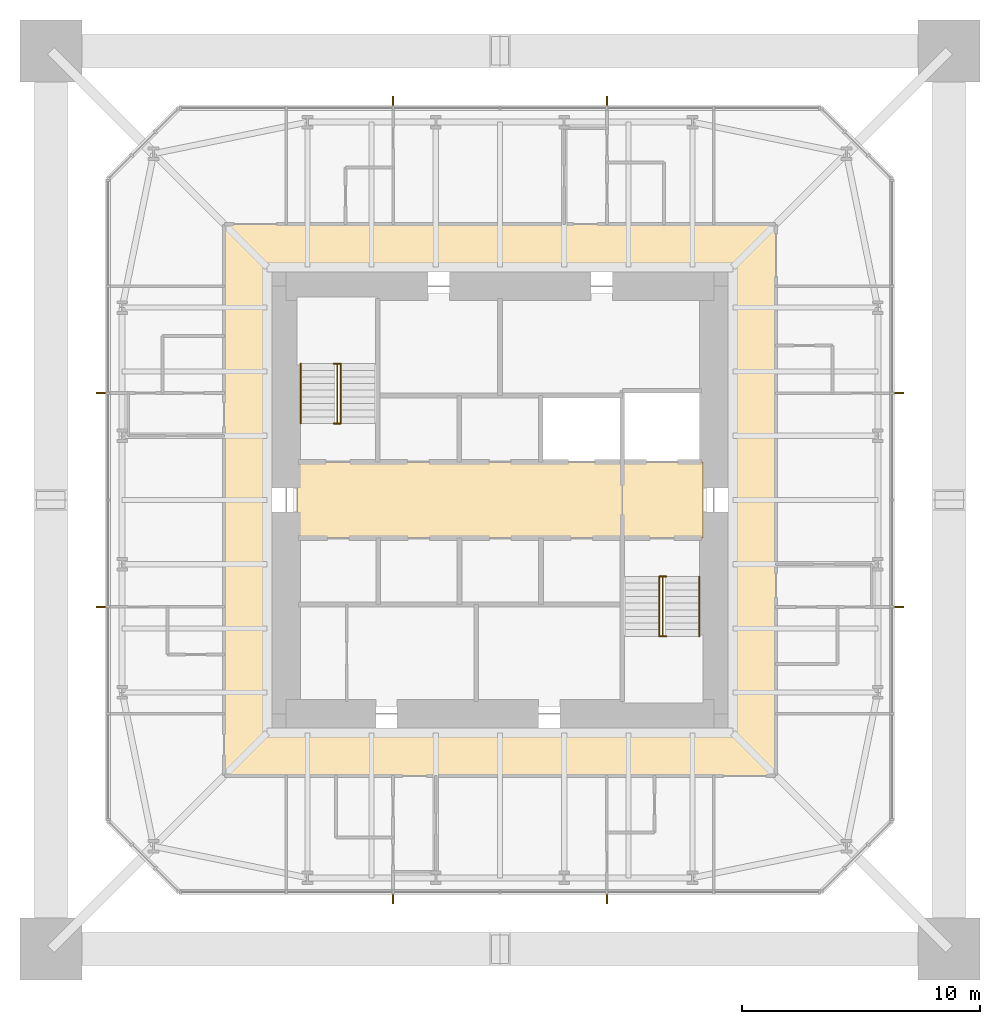
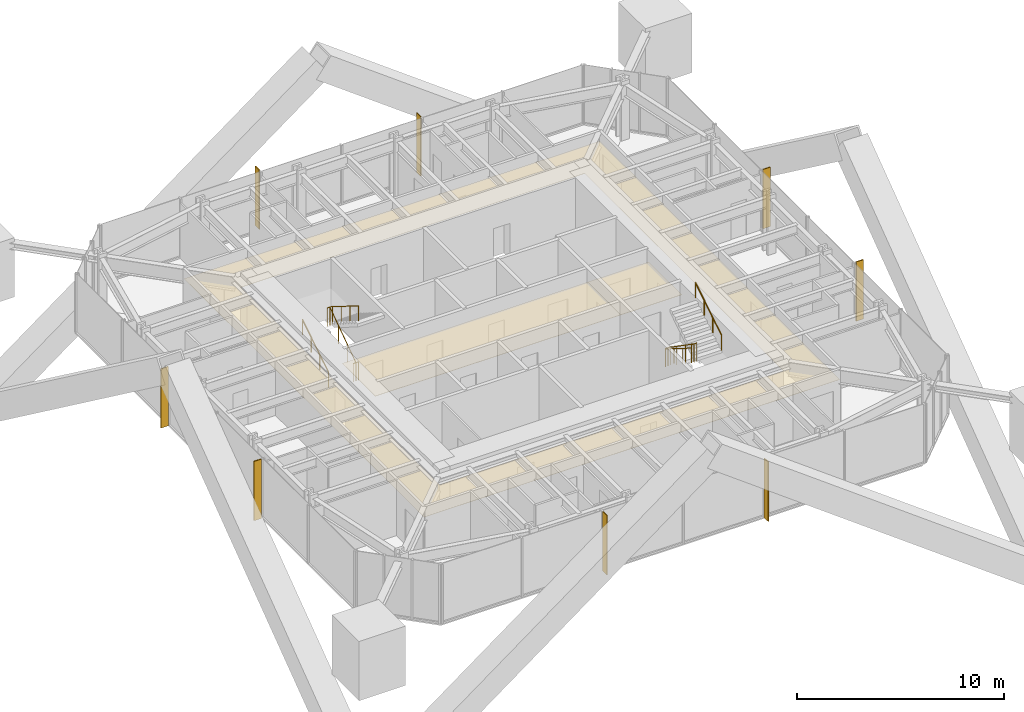
# One storey, part 10 of 10: 8 shading devices, 6 railings, 3 coverings.
"""IFC4 building model written with IfcOpenShell, lengths in metres."""

from ifc_helpers import new_model, si_unit, direction, frame, origin, origin_2d, place, context, subcontext, project, spatial, polyline, rectangle, circle, outline, extrude, material, layer, layer_set, constituent, constituent_set, type_object, element, save


model = new_model("IFC4")

# Units and contexts
model_context = context("Model", 3, precision=1e-05, world=origin(), true_north=direction((0.0, 1.0)))
body_context = subcontext(model_context, "Body", "Model", "MODEL_VIEW")
ifc_project = project(units=[si_unit("LENGTHUNIT", "METRE"), si_unit("AREAUNIT", "SQUARE_METRE"), si_unit("VOLUMEUNIT", "CUBIC_METRE"), si_unit("PLANEANGLEUNIT", "RADIAN"), si_unit("MASSUNIT", "GRAM", prefix="KILO")], contexts=[model_context])

# Site, building, storey
site_placement = place(None, origin())
site = spatial("IfcSite", under=ifc_project, at=site_placement, CompositionType="ELEMENT")
building_placement = place(site_placement, origin())
building = spatial("IfcBuilding", under=site, at=building_placement, Name="Iwan Alto Co-Living Towers", CompositionType="ELEMENT")
storey_placement = place(building_placement, frame((0.0, 0.0, 246.5)))
storey = spatial("IfcBuildingStorey", under=building, at=storey_placement, Name="L67", CompositionType="ELEMENT", Elevation=246.5)

# Coverings
ifc_material_1 = material(Name="Mineral fibre acoustic tiles on steel grid", Category="steel")
ifc_layer_1 = layer(ifc_material_1, 0.02001953125)
ifc_layer_set_1 = layer_set([ifc_layer_1], Name="ACOUSTIC TILE CEILING 20")
covering_type_1 = type_object("IfcCoveringType", Name="ACOUSTIC TILE CEILING 20", PredefinedType="CEILING", material=ifc_layer_set_1)
covering_1_placement = place(storey_placement, frame((0.0, 0.0, 2.60009765625)))
element("IfcCovering", 1, at=covering_1_placement, inside=storey, type_object=covering_type_1, Name="Ceiling Lift lobby L67", PredefinedType="CEILING", context=body_context, shape_type="SweptSolid", body=[
    extrude(outline(polyline([(-8.550048828125, -1.60009765625), (-8.550048828125, 1.60009765625), (5.14990234375, 1.60009765625), (5.14990234375, -1.60009765625), (-8.550048828125, -1.60009765625)])), origin(), (0.0, 0.0, 1.0), 0.02001953125),
])
covering_2_placement = place(storey_placement, frame((0.0, 0.0, 2.60009765625)))
element("IfcCovering", 2, at=covering_2_placement, inside=storey, type_object=covering_type_1, Name="Ceiling Firefighting lobby L67", PredefinedType="CEILING", context=body_context, shape_type="SweptSolid", body=[
    extrude(outline(polyline([(5.14990234375, -1.60009765625), (5.14990234375, 1.60009765625), (8.550048828125, 1.60009765625), (8.550048828125, -1.60009765625), (5.14990234375, -1.60009765625)])), origin(), (0.0, 0.0, 1.0), 0.02001953125),
])

# Shading devices
ifc_material_2 = material(Name="Aluminium 6063-T6 bronze anodised", Category="aluminium")
ifc_layer_2 = layer(ifc_material_2, 0.050048828125)
ifc_layer_set_2 = layer_set([ifc_layer_2], Name="BRONZE FIN 50X400")
shading_device_type = type_object("IfcShadingDeviceType", Name="BRONZE FIN 50X400", PredefinedType="USERDEFINED", material=ifc_layer_set_2)
for number, where, z_axis, x_axis, name in (
    (3, (-4.5, -16.800048828125, 0.0), (0.0, 0.0, 1.0), (1.0, 0.0, 0.0), "Bronze fin L67"),
    (4, (4.5, -16.800048828125, 0.0), (0.0, 0.0, 1.0), (1.0, 0.0, 0.0), "Bronze fin L67"),
    (5, (16.800048828125, -4.5, 0.0), (0.0, 0.0, 1.0), (0.0, 1.0, 0.0), "Bronze fin L67"),
    (6, (16.800048828125, 4.5, 0.0), (0.0, 0.0, 1.0), (0.0, 1.0, 0.0), "Bronze fin L67"),
    (7, (4.5, 16.800048828125, 0.0), (0.0, 0.0, 1.0), (-1.0, 0.0, 0.0), "Bronze fin L67"),
    (8, (-4.5, 16.800048828125, 0.0), (0.0, 0.0, 1.0), (-1.0, 0.0, 0.0), "Bronze fin L67"),
    (9, (-16.800048828125, 4.5, 0.0), (0.0, 0.0, 1.0), (0.0, -1.0, 0.0), "Bronze fin L67"),
    (10, (-16.800048828125, -4.5, 0.0), (0.0, 0.0, 1.0), (0.0, -1.0, 0.0), "Bronze fin L67"),
):
    element("IfcShadingDevice", number, at=place(storey_placement, frame(where, z_axis=z_axis, x_axis=x_axis)), inside=storey, type_object=shading_device_type, Name=name, ObjectType="LOUVER", PredefinedType="USERDEFINED", context=body_context, shape_type="SweptSolid", body=[
        extrude(rectangle(XDim=0.050048828125, YDim=0.39990234375, at=origin_2d()), origin(), (0.0, 0.0, 1.0), 3.5),
    ])

# Railings
ifc_material_3 = material(Name="Steel ASTM A500 Gr C", Category="steel")
ifc_constituent_1 = constituent(ifc_material_3, Name="Rails and posts", Category="Framing")
ifc_material_4 = material(Name="Steel ASTM A36", Category="steel")
ifc_constituent_2 = constituent(ifc_material_4, Name="Bar infill", Category="Infill")
ifc_constituent_set = constituent_set(constituents=[ifc_constituent_1, ifc_constituent_2], Name="STAIR GUARD 1100")
railing_type_1 = type_object("IfcRailingType", Name="STAIR GUARD 1100", PredefinedType="GUARDRAIL", material=ifc_constituent_set)
railing_1_placement = place(storey_placement, frame((-6.85009765625, 3.219970703125, 0.0)))
element("IfcRailing", 11, at=railing_1_placement, inside=storey, type_object=railing_type_1, Name="Stair T1-S1 well guard L67", PredefinedType="GUARDRAIL", context=body_context, shape_type="SweptSolid", body=[
    extrude(circle(Radius=0.02392578125, at=origin_2d()), frame((0.0, 0.0, 1.076171875), z_axis=(0.0, 0.821372036852, 0.570392826987), x_axis=(-1.0, 0.0, 0.0)), (0.0, 0.0, 1.0), 3.068115234375),
    extrude(circle(Radius=0.02392578125, at=origin_2d()), frame((-0.14990234375, 0.0, 1.076171875), z_axis=(1.0, 0.0, 0.0), x_axis=(0.0, 1.0, 0.0)), (0.0, 0.0, 1.0), 0.300048828125),
    extrude(circle(Radius=0.02392578125, at=origin_2d()), frame((-0.14990234375, 2.52001953125, 2.826171875), z_axis=(1.0, 0.0, 0.0), x_axis=(0.0, 1.0, 0.0)), (0.0, 0.0, 1.0), 0.300048828125),
    extrude(circle(Radius=0.02099609375, at=origin_2d()), origin(), (0.0, 0.0, 1.0), 1.052001953125),
    extrude(circle(Radius=0.02099609375, at=origin_2d()), frame((0.0, 0.840087890625, 0.583251953125)), (0.0, 0.0, 1.0), 1.052001953125),
    extrude(circle(Radius=0.02099609375, at=origin_2d()), frame((0.0, 1.679931640625, 1.166748046875)), (0.0, 0.0, 1.0), 1.052001953125),
    extrude(circle(Radius=0.02099609375, at=origin_2d()), frame((0.0, 2.52001953125, 1.75)), (0.0, 0.0, 1.0), 1.052001953125),
    extrude(circle(Radius=0.02099609375, at=origin_2d()), frame((-0.14990234375, 0.0, 0.0)), (0.0, 0.0, 1.0), 1.052001953125),
    extrude(circle(Radius=0.02099609375, at=origin_2d()), frame((0.150146484375, 0.0, 0.0)), (0.0, 0.0, 1.0), 1.052001953125),
    extrude(circle(Radius=0.02099609375, at=origin_2d()), frame((-0.14990234375, 2.52001953125, 1.75)), (0.0, 0.0, 1.0), 1.052001953125),
    extrude(circle(Radius=0.02099609375, at=origin_2d()), frame((0.150146484375, 2.52001953125, 1.75)), (0.0, 0.0, 1.0), 1.052001953125),
])
railing_2_placement = place(storey_placement, frame((6.85009765625, -3.219970703125, 0.0)))
element("IfcRailing", 12, at=railing_2_placement, inside=storey, type_object=railing_type_1, Name="Stair T1-S2 well guard L67", PredefinedType="GUARDRAIL", context=body_context, shape_type="SweptSolid", body=[
    extrude(circle(Radius=0.02392578125, at=origin_2d()), frame((0.0, 0.0, 1.076171875), z_axis=(0.0, -0.821372036852, 0.570392826987), x_axis=(1.0, 0.0, 0.0)), (0.0, 0.0, 1.0), 3.068115234375),
    extrude(circle(Radius=0.02392578125, at=origin_2d()), frame((-0.150146484375, 0.0, 1.076171875), z_axis=(1.0, 0.0, 0.0), x_axis=(0.0, 1.0, 0.0)), (0.0, 0.0, 1.0), 0.300048828125),
    extrude(circle(Radius=0.02392578125, at=origin_2d()), frame((-0.150146484375, -2.52001953125, 2.826171875), z_axis=(1.0, 0.0, 0.0), x_axis=(0.0, 1.0, 0.0)), (0.0, 0.0, 1.0), 0.300048828125),
    extrude(circle(Radius=0.02099609375, at=origin_2d()), origin(), (0.0, 0.0, 1.0), 1.052001953125),
    extrude(circle(Radius=0.02099609375, at=origin_2d()), frame((0.0, -0.840087890625, 0.583251953125)), (0.0, 0.0, 1.0), 1.052001953125),
    extrude(circle(Radius=0.02099609375, at=origin_2d()), frame((0.0, -1.679931640625, 1.166748046875)), (0.0, 0.0, 1.0), 1.052001953125),
    extrude(circle(Radius=0.02099609375, at=origin_2d()), frame((0.0, -2.52001953125, 1.75)), (0.0, 0.0, 1.0), 1.052001953125),
    extrude(circle(Radius=0.02099609375, at=origin_2d()), frame((-0.150146484375, 0.0, 0.0)), (0.0, 0.0, 1.0), 1.052001953125),
    extrude(circle(Radius=0.02099609375, at=origin_2d()), frame((0.14990234375, 0.0, 0.0)), (0.0, 0.0, 1.0), 1.052001953125),
    extrude(circle(Radius=0.02099609375, at=origin_2d()), frame((-0.150146484375, -2.52001953125, 1.75)), (0.0, 0.0, 1.0), 1.052001953125),
    extrude(circle(Radius=0.02099609375, at=origin_2d()), frame((0.14990234375, -2.52001953125, 1.75)), (0.0, 0.0, 1.0), 1.052001953125),
])
ifc_material_5 = material(Name="Steel ASTM A500 Gr C", Category="steel")
railing_type_2 = type_object("IfcRailingType", Name="STAIR HANDRAIL 900", PredefinedType="HANDRAIL", material=ifc_material_5)
railing_3_placement = place(storey_placement, frame((-8.3798828125, 3.219970703125, 0.175048828125)))
element("IfcRailing", 13, at=railing_3_placement, inside=storey, type_object=railing_type_2, Name="Stair T1-S1 handrail 1 L67", PredefinedType="HANDRAIL", context=body_context, shape_type="SweptSolid", body=[
    extrude(circle(Radius=0.02392578125, at=origin_2d()), frame((0.0, 0.0, 0.8759765625), z_axis=(0.0, 0.848007534815, 0.529984170421), x_axis=(-1.0, 0.0, 0.0)), (0.0, 0.0, 1.0), 2.9716796875),
    extrude(circle(Radius=0.02099609375, at=origin_2d()), origin(), (0.0, 0.0, 1.0), 0.851806640625),
    extrude(circle(Radius=0.02099609375, at=origin_2d()), frame((0.0, 0.840087890625, 0.52490234375)), (0.0, 0.0, 1.0), 0.851806640625),
    extrude(circle(Radius=0.02099609375, at=origin_2d()), frame((0.0, 1.679931640625, 1.050048828125)), (0.0, 0.0, 1.0), 0.851806640625),
    extrude(circle(Radius=0.02099609375, at=origin_2d()), frame((0.0, 2.52001953125, 1.574951171875)), (0.0, 0.0, 1.0), 0.851806640625),
])
for number, where, name in (
    (14, (-6.699951171875, 5.739990234375, 1.925048828125), "Stair T1-S1 handrail 2 L67"),
    (15, (6.699951171875, -3.219970703125, 0.175048828125), "Stair T1-S2 handrail 1 L67"),
):
    element("IfcRailing", number, at=place(storey_placement, frame(where)), inside=storey, type_object=railing_type_2, Name=name, PredefinedType="HANDRAIL", context=body_context, shape_type="SweptSolid", body=[
        extrude(circle(Radius=0.02392578125, at=origin_2d()), frame((0.0, 0.0, 0.8759765625), z_axis=(0.0, -0.848007534815, 0.529984170421), x_axis=(1.0, 0.0, 0.0)), (0.0, 0.0, 1.0), 2.9716796875),
        extrude(circle(Radius=0.02099609375, at=origin_2d()), origin(), (0.0, 0.0, 1.0), 0.851806640625),
        extrude(circle(Radius=0.02099609375, at=origin_2d()), frame((0.0, -0.840087890625, 0.52490234375)), (0.0, 0.0, 1.0), 0.851806640625),
        extrude(circle(Radius=0.02099609375, at=origin_2d()), frame((0.0, -1.679931640625, 1.050048828125)), (0.0, 0.0, 1.0), 0.851806640625),
        extrude(circle(Radius=0.02099609375, at=origin_2d()), frame((0.0, -2.52001953125, 1.574951171875)), (0.0, 0.0, 1.0), 0.851806640625),
    ])
railing_4_placement = place(storey_placement, frame((8.3798828125, -5.739990234375, 1.925048828125)))
element("IfcRailing", 16, at=railing_4_placement, inside=storey, type_object=railing_type_2, Name="Stair T1-S2 handrail 2 L67", PredefinedType="HANDRAIL", context=body_context, shape_type="SweptSolid", body=[
    extrude(circle(Radius=0.02392578125, at=origin_2d()), frame((0.0, 0.0, 0.8759765625), z_axis=(0.0, 0.848007534815, 0.529984170421), x_axis=(-1.0, 0.0, 0.0)), (0.0, 0.0, 1.0), 2.9716796875),
    extrude(circle(Radius=0.02099609375, at=origin_2d()), origin(), (0.0, 0.0, 1.0), 0.851806640625),
    extrude(circle(Radius=0.02099609375, at=origin_2d()), frame((0.0, 0.840087890625, 0.52490234375)), (0.0, 0.0, 1.0), 0.851806640625),
    extrude(circle(Radius=0.02099609375, at=origin_2d()), frame((0.0, 1.679931640625, 1.050048828125)), (0.0, 0.0, 1.0), 0.851806640625),
    extrude(circle(Radius=0.02099609375, at=origin_2d()), frame((0.0, 2.52001953125, 1.574951171875)), (0.0, 0.0, 1.0), 0.851806640625),
])

# Covering
ifc_material_6 = material(Name="Gypsum plasterboard on steel grid", Category="steel")
ifc_layer_3 = layer(ifc_material_6, 0.014892578125)
ifc_layer_set_3 = layer_set([ifc_layer_3], Name="SUSPENDED PLASTERBOARD CEILING 15")
covering_type_2 = type_object("IfcCoveringType", Name="SUSPENDED PLASTERBOARD CEILING 15", PredefinedType="CEILING", material=ifc_layer_set_3)
covering_3_placement = place(storey_placement, frame((0.0, 0.0, 2.60009765625)))
element("IfcCovering", 17, at=covering_3_placement, inside=storey, type_object=covering_type_2, Name="Ceiling Corridor L67", PredefinedType="CEILING", context=body_context, shape_type="SweptSolid", body=[
    extrude(outline(polyline([(-11.60009765625, 11.60009765625), (11.60009765625, 11.60009765625), (11.60009765625, -11.60009765625), (-11.60009765625, -11.60009765625), (-11.60009765625, 11.60009765625)]), holes=[polyline([(-9.60009765625, 9.60009765625), (-9.60009765625, -9.60009765625), (9.60009765625, -9.60009765625), (9.60009765625, 9.60009765625), (-9.60009765625, 9.60009765625)])]), origin(), (0.0, 0.0, 1.0), 0.014892578125),
])

save(model, "model.ifc")
